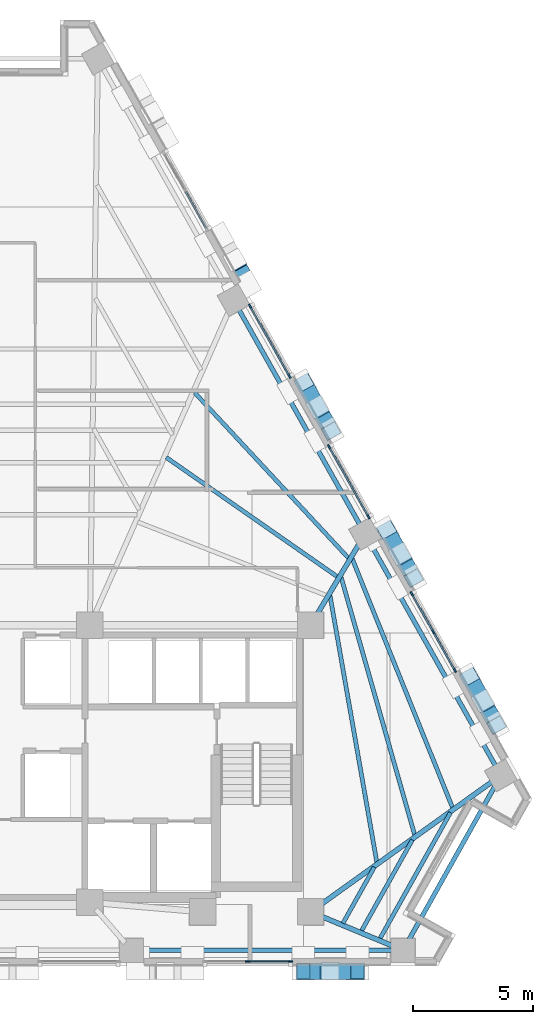
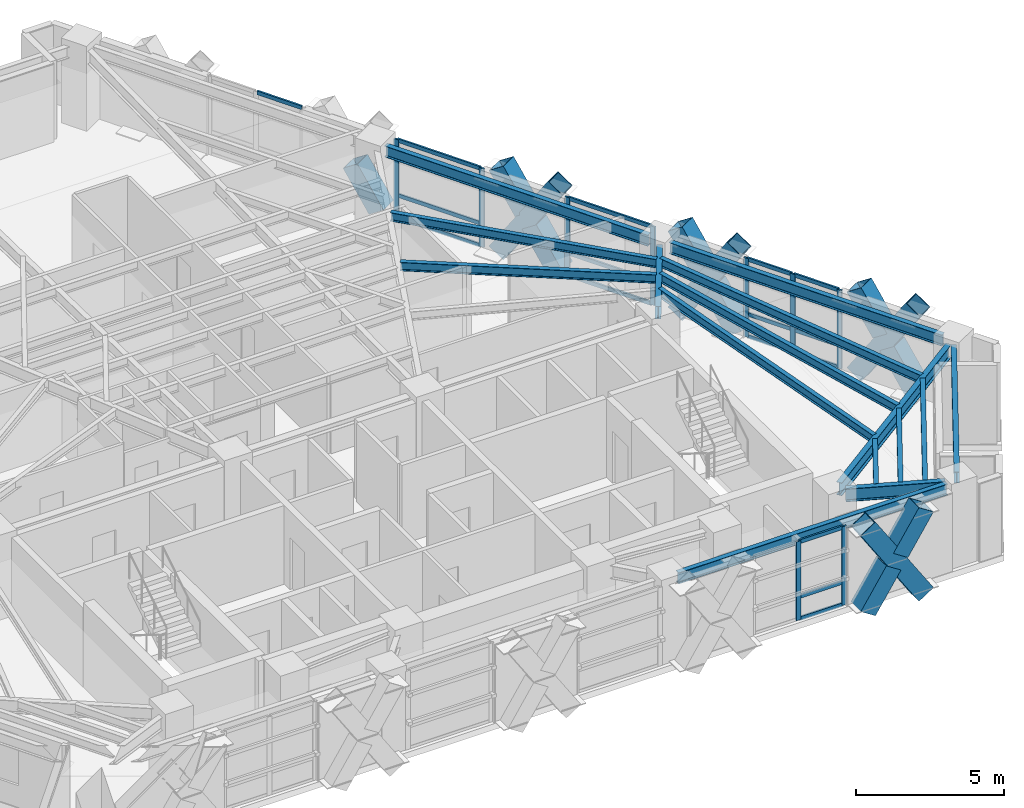
# One storey, part 4 of 14: 38 members, 15 beams, 5 elements without a shape of their own.
"""IFC4 building model written with IfcOpenShell, lengths in metres."""

from ifc_helpers import new_model, si_unit, direction, frame, origin, origin_2d, place, context, subcontext, project, spatial, rectangle, hollow_rectangle, i_section, extrude, material, material_profile, profile_set, type_object, element, aggregate, save


model = new_model("IFC4")

# Units and contexts
model_context = context("Model", 3, precision=1e-05, world=origin(), true_north=direction((0.0, 1.0)))
body_context = subcontext(model_context, "Body", "Model", "MODEL_VIEW")
ifc_project = project(units=[si_unit("LENGTHUNIT", "METRE"), si_unit("AREAUNIT", "SQUARE_METRE"), si_unit("VOLUMEUNIT", "CUBIC_METRE"), si_unit("PLANEANGLEUNIT", "RADIAN"), si_unit("MASSUNIT", "GRAM", prefix="KILO")], contexts=[model_context])

# Site, building, storey
site_placement = place(None, origin())
site = spatial("IfcSite", under=ifc_project, at=site_placement, CompositionType="ELEMENT")
building_placement = place(site_placement, origin())
building = spatial("IfcBuilding", under=site, at=building_placement, Name="Quenlor Broadcast Tower", CompositionType="ELEMENT")
storey_placement = place(building_placement, frame((0.0, 0.0, 133.5)))
storey = spatial("IfcBuildingStorey", under=building, at=storey_placement, Name="L36", CompositionType="ELEMENT", Elevation=133.5)

# Curtain wall, members
ifc_material_1 = material(Name="Architectural Terracotta and Low-E Glazing", Category="masonry")
curtain_wall_type = type_object("IfcCurtainWallType", Name="Unitised Terracotta Curtain Wall System Z3", PredefinedType="NOTDEFINED", material=ifc_material_1)
curtain_wall_1_placement = place(storey_placement, origin())
curtain_wall_1 = element("IfcCurtainWall", 1, at=curtain_wall_1_placement, inside=storey, type_object=curtain_wall_type, Name="L36 Curtain Wall CW3 (L36-SA-G1)", PredefinedType="NOTDEFINED")
ifc_material_2 = material(Name="Aluminium 6063-T6", Category="aluminium")
ifc_material_profile_1 = material_profile(ifc_material_2, rectangle(XDim=0.070068359375, YDim=0.18994140625, at=origin_2d()))
ifc_profile_set_1 = profile_set([ifc_material_profile_1], Name="Aluminium 6063-T6 MULL70x190")
member_type_1 = type_object("IfcMemberType", Name="CW3 Aluminium Mullion MULL_CW3", PredefinedType="MULLION", material=ifc_profile_set_1)
member_1_placement = place(storey_placement, frame((12.114013671875, -18.824951171875, 0.0), z_axis=(0.0, 0.0, 1.0), x_axis=(0.0, -1.0, 0.0)))
member_1 = element("IfcMember", 2, at=member_1_placement, type_object=member_type_1, Name="CW3 mullion 1", PredefinedType="MULLION", context=body_context, shape_type="SweptSolid", body=[
    extrude(rectangle(XDim=0.070068359375, YDim=0.18994140625, at=origin_2d()), origin(), (0.0, 0.0, 1.0), 3.25),
])
member_2_placement = place(storey_placement, frame((10.33203125, -18.824951171875, 0.0), z_axis=(0.0, 0.0, 1.0), x_axis=(0.0, -1.0, 0.0)))
member_2 = element("IfcMember", 3, at=member_2_placement, type_object=member_type_1, Name="CW3 mullion 2", PredefinedType="MULLION", context=body_context, shape_type="SweptSolid", body=[
    extrude(rectangle(XDim=0.070068359375, YDim=0.18994140625, at=origin_2d()), origin(), (0.0, 0.0, 1.0), 3.25),
])

curtain_wall_2_placement = place(storey_placement, origin())
curtain_wall_2 = element("IfcCurtainWall", 4, at=curtain_wall_2_placement, inside=storey, type_object=curtain_wall_type, Name="L36 Curtain Wall CW3 (L36-NEC-G1)", PredefinedType="NOTDEFINED")
member_3_placement = place(storey_placement, frame((17.17138671875, -3.48388671875, 0.0), z_axis=(0.0, 0.0, 1.0), x_axis=(0.871576967495, 0.490258696743, 0.0)))
member_3 = element("IfcMember", 5, at=member_3_placement, type_object=member_type_1, Name="CW3 mullion 1", PredefinedType="MULLION", context=body_context, shape_type="SweptSolid", body=[
    extrude(rectangle(XDim=0.070068359375, YDim=0.18994140625, at=origin_2d()), origin(), (0.0, 0.0, 1.0), 3.25),
])
member_4_placement = place(storey_placement, frame((18.069580078125, -5.080810546875, 0.0), z_axis=(0.0, 0.0, 1.0), x_axis=(0.871576967495, 0.490258696743, 0.0)))
member_4 = element("IfcMember", 6, at=member_4_placement, type_object=member_type_1, Name="CW3 mullion 2", PredefinedType="MULLION", context=body_context, shape_type="SweptSolid", body=[
    extrude(rectangle(XDim=0.070068359375, YDim=0.18994140625, at=origin_2d()), origin(), (0.0, 0.0, 1.0), 3.25),
])
member_5_placement = place(storey_placement, frame((18.9677734375, -6.677490234375, 0.0), z_axis=(0.0, 0.0, 1.0), x_axis=(0.871576967495, 0.490258696743, 0.0)))
member_5 = element("IfcMember", 7, at=member_5_placement, type_object=member_type_1, Name="CW3 mullion 3", PredefinedType="MULLION", context=body_context, shape_type="SweptSolid", body=[
    extrude(rectangle(XDim=0.070068359375, YDim=0.18994140625, at=origin_2d()), origin(), (0.0, 0.0, 1.0), 3.25),
])

curtain_wall_3_placement = place(storey_placement, origin())
curtain_wall_3 = element("IfcCurtainWall", 8, at=curtain_wall_3_placement, inside=storey, type_object=curtain_wall_type, Name="L36 Curtain Wall CW3 (L36-NE-G1)", PredefinedType="NOTDEFINED")
member_6_placement = place(storey_placement, frame((10.428955078125, 8.50244140625, 0.0), z_axis=(0.0, 0.0, 1.0), x_axis=(0.871578660222, 0.490255687418, 0.0)))
member_6 = element("IfcMember", 9, at=member_6_placement, type_object=member_type_1, Name="CW3 mullion 1", PredefinedType="MULLION", context=body_context, shape_type="SweptSolid", body=[
    extrude(rectangle(XDim=0.070068359375, YDim=0.18994140625, at=origin_2d()), origin(), (0.0, 0.0, 1.0), 3.25),
])
member_7_placement = place(storey_placement, frame((12.071533203125, 5.582275390625, 0.0), z_axis=(0.0, 0.0, 1.0), x_axis=(0.871578660222, 0.490255687418, 0.0)))
member_7 = element("IfcMember", 10, at=member_7_placement, type_object=member_type_1, Name="CW3 mullion 2", PredefinedType="MULLION", context=body_context, shape_type="SweptSolid", body=[
    extrude(rectangle(XDim=0.070068359375, YDim=0.18994140625, at=origin_2d()), origin(), (0.0, 0.0, 1.0), 3.25),
])

curtain_wall_4_placement = place(storey_placement, origin())
curtain_wall_4 = element("IfcCurtainWall", 11, at=curtain_wall_4_placement, inside=storey, type_object=curtain_wall_type, Name="L36 Curtain Wall CW3 (L36-NE-G2)", PredefinedType="NOTDEFINED")
member_8_placement = place(storey_placement, frame((13.723388671875, 2.64599609375, 0.0), z_axis=(0.0, 0.0, 1.0), x_axis=(0.871571633105, 0.490268180048, 0.0)))
member_8 = element("IfcMember", 12, at=member_8_placement, type_object=member_type_1, Name="CW3 mullion 1", PredefinedType="MULLION", context=body_context, shape_type="SweptSolid", body=[
    extrude(rectangle(XDim=0.070068359375, YDim=0.18994140625, at=origin_2d()), origin(), (0.0, 0.0, 1.0), 3.25),
])
member_9_placement = place(storey_placement, frame((15.365966796875, -0.274169921875, 0.0), z_axis=(0.0, 0.0, 1.0), x_axis=(0.871571633105, 0.490268180048, 0.0)))
member_9 = element("IfcMember", 13, at=member_9_placement, type_object=member_type_1, Name="CW3 mullion 2", PredefinedType="MULLION", context=body_context, shape_type="SweptSolid", body=[
    extrude(rectangle(XDim=0.070068359375, YDim=0.18994140625, at=origin_2d()), origin(), (0.0, 0.0, 1.0), 3.25),
])

# Member
ifc_material_3 = material(Name="Aluminium 6063-T6", Category="aluminium")
ifc_material_profile_2 = material_profile(ifc_material_3, rectangle(XDim=0.070068359375, YDim=0.155029296875, at=origin_2d()))
ifc_profile_set_2 = profile_set([ifc_material_profile_2], Name="Aluminium 6063-T6 TRAN70x155")
member_type_2 = type_object("IfcMemberType", Name="CW3 Aluminium Transom TRAN_CW3", PredefinedType="USERDEFINED", material=ifc_profile_set_2)
member_10_placement = place(storey_placement, frame((12.0791015625, -18.824951171875, 0.034912109375), z_axis=(-1.0, 0.0, 0.0), x_axis=(0.0, -1.0, 0.0)))
member_10 = element("IfcMember", 14, at=member_10_placement, type_object=member_type_2, Name="CW3 transom 1.1", ObjectType="TRANSOM", PredefinedType="USERDEFINED", context=body_context, shape_type="SweptSolid", body=[
    extrude(rectangle(XDim=0.070068359375, YDim=0.155029296875, at=origin_2d()), origin(), (0.0, 0.0, 1.0), 1.712158203125),
])

member_11_placement = place(storey_placement, frame((12.0791015625, -18.824951171875, 0.949951171875), z_axis=(-1.0, 0.0, 0.0), x_axis=(0.0, -1.0, 0.0)))
member_11 = element("IfcMember", 15, at=member_11_placement, type_object=member_type_2, Name="CW3 transom 1.2", ObjectType="TRANSOM", PredefinedType="USERDEFINED", context=body_context, shape_type="SweptSolid", body=[
    extrude(rectangle(XDim=0.070068359375, YDim=0.155029296875, at=origin_2d()), origin(), (0.0, 0.0, 1.0), 1.712158203125),
])

member_12_placement = place(storey_placement, frame((12.0791015625, -18.824951171875, 3.215087890625), z_axis=(-1.0, 0.0, 0.0), x_axis=(0.0, -1.0, 0.0)))
member_12 = element("IfcMember", 16, at=member_12_placement, type_object=member_type_2, Name="CW3 transom 1.3", ObjectType="TRANSOM", PredefinedType="USERDEFINED", context=body_context, shape_type="SweptSolid", body=[
    extrude(rectangle(XDim=0.070068359375, YDim=0.155029296875, at=origin_2d()), origin(), (0.0, 0.0, 1.0), 1.712158203125),
])

aggregate(curtain_wall_1, [member_1, member_2, member_10, member_11, member_12])

# Curtain wall, member
curtain_wall_5_placement = place(storey_placement, origin())
curtain_wall_5 = element("IfcCurtainWall", 17, at=curtain_wall_5_placement, inside=storey, type_object=curtain_wall_type, Name="L36 Curtain Wall CW3 (L36-NEA-G1)", PredefinedType="NOTDEFINED")
member_13_placement = place(storey_placement, frame((7.742431640625, 13.278564453125, 3.215087890625), z_axis=(0.490353334151, -0.871523727553, 0.0), x_axis=(0.871523727553, 0.490353334151, 0.0)))
member_13 = element("IfcMember", 18, at=member_13_placement, type_object=member_type_2, Name="CW3 transom 2.3", ObjectType="TRANSOM", PredefinedType="USERDEFINED", context=body_context, shape_type="SweptSolid", body=[
    extrude(rectangle(XDim=0.070068359375, YDim=0.155029296875, at=origin_2d()), origin(), (0.0, 0.0, 1.0), 1.761962890625),
])
aggregate(curtain_wall_5, [member_13])

# Member
member_14_placement = place(storey_placement, frame((17.188720703125, -3.514404296875, 0.034912109375), z_axis=(0.490188879637, -0.871616235668, 0.0), x_axis=(0.871616235668, 0.490188879637, 0.0)))
member_14 = element("IfcMember", 19, at=member_14_placement, type_object=member_type_2, Name="CW3 transom 1.1", ObjectType="TRANSOM", PredefinedType="USERDEFINED", context=body_context, shape_type="SweptSolid", body=[
    extrude(rectangle(XDim=0.070068359375, YDim=0.155029296875, at=origin_2d()), origin(), (0.0, 0.0, 1.0), 1.76220703125),
])

member_15_placement = place(storey_placement, frame((17.188720703125, -3.514404296875, 0.949951171875), z_axis=(0.490188879637, -0.871616235668, 0.0), x_axis=(0.871616235668, 0.490188879637, 0.0)))
member_15 = element("IfcMember", 20, at=member_15_placement, type_object=member_type_2, Name="CW3 transom 1.2", ObjectType="TRANSOM", PredefinedType="USERDEFINED", context=body_context, shape_type="SweptSolid", body=[
    extrude(rectangle(XDim=0.070068359375, YDim=0.155029296875, at=origin_2d()), origin(), (0.0, 0.0, 1.0), 1.76220703125),
])

member_16_placement = place(storey_placement, frame((17.188720703125, -3.514404296875, 3.215087890625), z_axis=(0.490188879637, -0.871616235668, 0.0), x_axis=(0.871616235668, 0.490188879637, 0.0)))
member_16 = element("IfcMember", 21, at=member_16_placement, type_object=member_type_2, Name="CW3 transom 1.3", ObjectType="TRANSOM", PredefinedType="USERDEFINED", context=body_context, shape_type="SweptSolid", body=[
    extrude(rectangle(XDim=0.070068359375, YDim=0.155029296875, at=origin_2d()), origin(), (0.0, 0.0, 1.0), 1.76220703125),
])

member_17_placement = place(storey_placement, frame((18.0869140625, -5.111083984375, 0.034912109375), z_axis=(0.490188879637, -0.871616235668, 0.0), x_axis=(0.871616235668, 0.490188879637, 0.0)))
member_17 = element("IfcMember", 22, at=member_17_placement, type_object=member_type_2, Name="CW3 transom 2.1", ObjectType="TRANSOM", PredefinedType="USERDEFINED", context=body_context, shape_type="SweptSolid", body=[
    extrude(rectangle(XDim=0.070068359375, YDim=0.155029296875, at=origin_2d()), origin(), (0.0, 0.0, 1.0), 1.76220703125),
])

member_18_placement = place(storey_placement, frame((18.0869140625, -5.111083984375, 0.949951171875), z_axis=(0.490188879637, -0.871616235668, 0.0), x_axis=(0.871616235668, 0.490188879637, 0.0)))
member_18 = element("IfcMember", 23, at=member_18_placement, type_object=member_type_2, Name="CW3 transom 2.2", ObjectType="TRANSOM", PredefinedType="USERDEFINED", context=body_context, shape_type="SweptSolid", body=[
    extrude(rectangle(XDim=0.070068359375, YDim=0.155029296875, at=origin_2d()), origin(), (0.0, 0.0, 1.0), 1.76220703125),
])

member_19_placement = place(storey_placement, frame((18.0869140625, -5.111083984375, 3.215087890625), z_axis=(0.490188879637, -0.871616235668, 0.0), x_axis=(0.871616235668, 0.490188879637, 0.0)))
member_19 = element("IfcMember", 24, at=member_19_placement, type_object=member_type_2, Name="CW3 transom 2.3", ObjectType="TRANSOM", PredefinedType="USERDEFINED", context=body_context, shape_type="SweptSolid", body=[
    extrude(rectangle(XDim=0.070068359375, YDim=0.155029296875, at=origin_2d()), origin(), (0.0, 0.0, 1.0), 1.76220703125),
])

aggregate(curtain_wall_2, [member_3, member_4, member_5, member_14, member_15, member_16, member_17, member_18, member_19])

member_20_placement = place(storey_placement, frame((10.4462890625, 8.471923828125, 0.034912109375), z_axis=(0.490236504766, -0.871589450025, 0.0), x_axis=(0.871589450025, 0.490236504766, 0.0)))
member_20 = element("IfcMember", 25, at=member_20_placement, type_object=member_type_2, Name="CW3 transom 1.1", ObjectType="TRANSOM", PredefinedType="USERDEFINED", context=body_context, shape_type="SweptSolid", body=[
    extrude(rectangle(XDim=0.070068359375, YDim=0.155029296875, at=origin_2d()), origin(), (0.0, 0.0, 1.0), 3.2802734375),
])

member_21_placement = place(storey_placement, frame((10.4462890625, 8.471923828125, 0.949951171875), z_axis=(0.490236504766, -0.871589450025, 0.0), x_axis=(0.871589450025, 0.490236504766, 0.0)))
member_21 = element("IfcMember", 26, at=member_21_placement, type_object=member_type_2, Name="CW3 transom 1.2", ObjectType="TRANSOM", PredefinedType="USERDEFINED", context=body_context, shape_type="SweptSolid", body=[
    extrude(rectangle(XDim=0.070068359375, YDim=0.155029296875, at=origin_2d()), origin(), (0.0, 0.0, 1.0), 3.2802734375),
])

member_22_placement = place(storey_placement, frame((10.4462890625, 8.471923828125, 3.215087890625), z_axis=(0.490236504766, -0.871589450025, 0.0), x_axis=(0.871589450025, 0.490236504766, 0.0)))
member_22 = element("IfcMember", 27, at=member_22_placement, type_object=member_type_2, Name="CW3 transom 1.3", ObjectType="TRANSOM", PredefinedType="USERDEFINED", context=body_context, shape_type="SweptSolid", body=[
    extrude(rectangle(XDim=0.070068359375, YDim=0.155029296875, at=origin_2d()), origin(), (0.0, 0.0, 1.0), 3.2802734375),
])

aggregate(curtain_wall_3, [member_6, member_7, member_20, member_21, member_22])

member_23_placement = place(storey_placement, frame((13.740478515625, 2.615478515625, 0.034912109375), z_axis=(0.490293039863, -0.871557648731, 0.0), x_axis=(0.871557648731, 0.490293039863, 0.0)))
member_23 = element("IfcMember", 28, at=member_23_placement, type_object=member_type_2, Name="CW3 transom 1.1", ObjectType="TRANSOM", PredefinedType="USERDEFINED", context=body_context, shape_type="SweptSolid", body=[
    extrude(rectangle(XDim=0.070068359375, YDim=0.155029296875, at=origin_2d()), origin(), (0.0, 0.0, 1.0), 3.280517578125),
])

member_24_placement = place(storey_placement, frame((13.740478515625, 2.615478515625, 0.949951171875), z_axis=(0.490293039863, -0.871557648731, 0.0), x_axis=(0.871557648731, 0.490293039863, 0.0)))
member_24 = element("IfcMember", 29, at=member_24_placement, type_object=member_type_2, Name="CW3 transom 1.2", ObjectType="TRANSOM", PredefinedType="USERDEFINED", context=body_context, shape_type="SweptSolid", body=[
    extrude(rectangle(XDim=0.070068359375, YDim=0.155029296875, at=origin_2d()), origin(), (0.0, 0.0, 1.0), 3.280517578125),
])

member_25_placement = place(storey_placement, frame((13.740478515625, 2.615478515625, 3.215087890625), z_axis=(0.490293039863, -0.871557648731, 0.0), x_axis=(0.871557648731, 0.490293039863, 0.0)))
member_25 = element("IfcMember", 30, at=member_25_placement, type_object=member_type_2, Name="CW3 transom 1.3", ObjectType="TRANSOM", PredefinedType="USERDEFINED", context=body_context, shape_type="SweptSolid", body=[
    extrude(rectangle(XDim=0.070068359375, YDim=0.155029296875, at=origin_2d()), origin(), (0.0, 0.0, 1.0), 3.280517578125),
])

aggregate(curtain_wall_4, [member_8, member_9, member_23, member_24, member_25])

# Members
ifc_material_4 = material(Name="Steel S355", Category="steel")
ifc_material_profile_3 = material_profile(ifc_material_4, hollow_rectangle(XDim=0.679931640625, YDim=0.679931640625, WallThickness=0.02490234375, at=origin_2d()))
ifc_profile_set_3 = profile_set([ifc_material_profile_3], Name="Steel S355 RHS680x680x25")
member_type_3 = type_object("IfcMemberType", Name="Perimeter Diagonal Lattice Brace Z3-Z4 Steel S355 RHS680x25", PredefinedType="BRACE", material=ifc_profile_set_3)
member_26_placement = place(storey_placement, frame((14.91015625, -19.219970703125, -0.1201171875), z_axis=(-0.543860340502, 0.0, 0.839175744424), x_axis=(0.0, -1.0, 0.0)))
element("IfcMember", 31, at=member_26_placement, inside=storey, type_object=member_type_3, Name="L36 Perimeter Diamond Lattice S-C1XA", PredefinedType="BRACE", context=body_context, shape_type="SweptSolid", body=[
    extrude(hollow_rectangle(XDim=0.679931640625, YDim=0.679931640625, WallThickness=0.02490234375, at=origin_2d()), origin(), (0.0, 0.0, 1.0), 4.170654296875),
])
member_27_placement = place(storey_placement, frame((12.641845703125, -19.219970703125, -0.1201171875), z_axis=(0.543786168213, 0.0, 0.839223809994), x_axis=(0.0, 1.0, 0.0)))
element("IfcMember", 32, at=member_27_placement, inside=storey, type_object=member_type_3, Name="L36 Perimeter Diamond Lattice S-C1XB1", PredefinedType="BRACE", context=body_context, shape_type="SweptSolid", body=[
    extrude(hollow_rectangle(XDim=0.679931640625, YDim=0.679931640625, WallThickness=0.02490234375, at=origin_2d()), origin(), (0.0, 0.0, 1.0), 1.83544921875),
])
member_28_placement = place(storey_placement, frame((13.912109375, -19.219970703125, 1.83984375), z_axis=(0.543846878394, 0.0, 0.839184468911), x_axis=(0.0, 1.0, 0.0)))
element("IfcMember", 33, at=member_28_placement, inside=storey, type_object=member_type_3, Name="L36 Perimeter Diamond Lattice S-C1XB2", PredefinedType="BRACE", context=body_context, shape_type="SweptSolid", body=[
    extrude(hollow_rectangle(XDim=0.679931640625, YDim=0.679931640625, WallThickness=0.02490234375, at=origin_2d()), origin(), (0.0, 0.0, 1.0), 1.835205078125),
])
member_29_placement = place(storey_placement, frame((10.361572265625, 9.428466796875, -0.1201171875), z_axis=(-0.270633624024, 0.480906307989, 0.833958370954), x_axis=(-0.871479637717, -0.49043168846, 0.0)))
element("IfcMember", 34, at=member_29_placement, inside=storey, type_object=member_type_3, Name="L36 Perimeter Diamond Lattice NE-C2XB1", PredefinedType="BRACE", context=body_context, shape_type="SweptSolid", body=[
    extrude(hollow_rectangle(XDim=0.679931640625, YDim=0.679931640625, WallThickness=0.02490234375, at=origin_2d()), origin(), (0.0, 0.0, 1.0), 1.848388671875),
])
member_30_placement = place(storey_placement, frame((12.674072265625, 5.317138671875, -0.1201171875), z_axis=(0.270556764115, -0.480963948764, 0.833950068878), x_axis=(0.871564276035, 0.49028125881, 0.0)))
element("IfcMember", 35, at=member_30_placement, inside=storey, type_object=member_type_3, Name="L36 Perimeter Diamond Lattice NE-C3XA", PredefinedType="BRACE", context=body_context, shape_type="SweptSolid", body=[
    extrude(hollow_rectangle(XDim=0.679931640625, YDim=0.679931640625, WallThickness=0.02490234375, at=origin_2d()), origin(), (0.0, 0.0, 1.0), 4.19677734375),
])
member_31_placement = place(storey_placement, frame((13.8095703125, 3.298583984375, -0.1201171875), z_axis=(-0.270633624024, 0.480906307989, 0.833958370954), x_axis=(-0.871479637717, -0.49043168846, 0.0)))
element("IfcMember", 36, at=member_31_placement, inside=storey, type_object=member_type_3, Name="L36 Perimeter Diamond Lattice NE-C3XB1", PredefinedType="BRACE", context=body_context, shape_type="SweptSolid", body=[
    extrude(hollow_rectangle(XDim=0.679931640625, YDim=0.679931640625, WallThickness=0.02490234375, at=origin_2d()), origin(), (0.0, 0.0, 1.0), 1.848388671875),
])
member_32_placement = place(storey_placement, frame((13.17431640625, 4.427978515625, 1.83837890625), z_axis=(-0.270616433058, 0.481007832697, 0.833905396938), x_axis=(-0.871537189362, -0.490329407194, 0.0)))
element("IfcMember", 37, at=member_32_placement, inside=storey, type_object=member_type_3, Name="L36 Perimeter Diamond Lattice NE-C3XB2", PredefinedType="BRACE", context=body_context, shape_type="SweptSolid", body=[
    extrude(hollow_rectangle(XDim=0.679931640625, YDim=0.679931640625, WallThickness=0.02490234375, at=origin_2d()), origin(), (0.0, 0.0, 1.0), 1.8486328125),
])
member_33_placement = place(storey_placement, frame((16.1220703125, -0.812744140625, -0.1201171875), z_axis=(0.2705491942, -0.481008661973, 0.833926735766), x_axis=(0.871589611547, 0.490236217596, 0.0)))
element("IfcMember", 38, at=member_33_placement, inside=storey, type_object=member_type_3, Name="L36 Perimeter Diamond Lattice NE-C4XA", PredefinedType="BRACE", context=body_context, shape_type="SweptSolid", body=[
    extrude(hollow_rectangle(XDim=0.679931640625, YDim=0.679931640625, WallThickness=0.02490234375, at=origin_2d()), origin(), (0.0, 0.0, 1.0), 4.197021484375),
])
member_34_placement = place(storey_placement, frame((17.257568359375, -2.83154296875, -0.1201171875), z_axis=(-0.270494026149, 0.481025021111, 0.833935195853), x_axis=(-0.871639445711, -0.490147607034, 0.0)))
element("IfcMember", 39, at=member_34_placement, inside=storey, type_object=member_type_3, Name="L36 Perimeter Diamond Lattice NE-C4XB1", PredefinedType="BRACE", context=body_context, shape_type="SweptSolid", body=[
    extrude(hollow_rectangle(XDim=0.679931640625, YDim=0.679931640625, WallThickness=0.02490234375, at=origin_2d()), origin(), (0.0, 0.0, 1.0), 1.848388671875),
])
member_35_placement = place(storey_placement, frame((16.622314453125, -1.701904296875, 1.83837890625), z_axis=(-0.270616433058, 0.481007832697, 0.833905396938), x_axis=(-0.871537189362, -0.490329407194, 0.0)))
element("IfcMember", 40, at=member_35_placement, inside=storey, type_object=member_type_3, Name="L36 Perimeter Diamond Lattice NE-C4XB2", PredefinedType="BRACE", context=body_context, shape_type="SweptSolid", body=[
    extrude(hollow_rectangle(XDim=0.679931640625, YDim=0.679931640625, WallThickness=0.02490234375, at=origin_2d()), origin(), (0.0, 0.0, 1.0), 1.8486328125),
])
member_36_placement = place(storey_placement, frame((19.5703125, -6.942626953125, -0.1201171875), z_axis=(0.2705491942, -0.481008661973, 0.833926735766), x_axis=(0.871589611547, 0.490236217596, 0.0)))
element("IfcMember", 41, at=member_36_placement, inside=storey, type_object=member_type_3, Name="L36 Perimeter Diamond Lattice NE-C5XA", PredefinedType="BRACE", context=body_context, shape_type="SweptSolid", body=[
    extrude(hollow_rectangle(XDim=0.679931640625, YDim=0.679931640625, WallThickness=0.02490234375, at=origin_2d()), origin(), (0.0, 0.0, 1.0), 4.197021484375),
])
member_37_placement = place(storey_placement, frame((20.705810546875, -8.96142578125, -0.1201171875), z_axis=(-0.270616433058, 0.481007832697, 0.833905396938), x_axis=(-0.871537189362, -0.490329407194, 0.0)))
element("IfcMember", 42, at=member_37_placement, inside=storey, type_object=member_type_3, Name="L36 Perimeter Diamond Lattice NE-C5XB1", PredefinedType="BRACE", context=body_context, shape_type="SweptSolid", body=[
    extrude(hollow_rectangle(XDim=0.679931640625, YDim=0.679931640625, WallThickness=0.02490234375, at=origin_2d()), origin(), (0.0, 0.0, 1.0), 1.8486328125),
])
member_38_placement = place(storey_placement, frame((20.0703125, -7.831787109375, 1.83837890625), z_axis=(-0.270494026149, 0.481025021111, 0.833935195853), x_axis=(-0.871639445711, -0.490147607034, 0.0)))
element("IfcMember", 43, at=member_38_placement, inside=storey, type_object=member_type_3, Name="L36 Perimeter Diamond Lattice NE-C5XB2", PredefinedType="BRACE", context=body_context, shape_type="SweptSolid", body=[
    extrude(hollow_rectangle(XDim=0.679931640625, YDim=0.679931640625, WallThickness=0.02490234375, at=origin_2d()), origin(), (0.0, 0.0, 1.0), 1.848388671875),
])

# Beams
ifc_material_5 = material(Name="Steel S355", Category="steel")
ifc_material_profile_4 = material_profile(ifc_material_5, i_section(OverallWidth=0.19091796875, OverallDepth=0.46044921875, WebThickness=0.010009765625, FlangeThickness=0.01611328125, FilletRadius=0.011474609375, at=origin_2d()))
ifc_profile_set_4 = profile_set([ifc_material_profile_4], Name="Steel S355 460UB82.1")
beam_type_1 = type_object("IfcBeamType", Name="Perimeter Spandrel Beam Z3 Steel S355 460UB82.1", PredefinedType="SPANDREL", material=ifc_profile_set_4)
beam_1_placement = place(storey_placement, frame((5.89111328125, -18.35009765625, 3.019775390625), z_axis=(1.0, 0.0, 0.0), x_axis=(0.0, 1.0, 0.0)))
element("IfcBeam", 44, at=beam_1_placement, inside=storey, type_object=beam_type_1, Name="L36 Spandrel Beam S3-S4", PredefinedType="SPANDREL", context=body_context, shape_type="SweptSolid", body=[
    extrude(i_section(OverallWidth=0.19091796875, OverallDepth=0.46044921875, WebThickness=0.010009765625, FlangeThickness=0.01611328125, FilletRadius=0.011474609375, at=origin_2d()), origin(), (0.0, 0.0, 1.0), 10.50732421875),
])
beam_2_placement = place(storey_placement, frame((17.008544921875, -17.9921875, 3.019775390625), z_axis=(0.488298439934, 0.872676706208, 0.0), x_axis=(-0.872676706208, 0.488298439934, 0.0)))
element("IfcBeam", 45, at=beam_2_placement, inside=storey, type_object=beam_type_1, Name="L36 Spandrel Beam S4-NE1", PredefinedType="SPANDREL", context=body_context, shape_type="SweptSolid", body=[
    extrude(i_section(OverallWidth=0.19091796875, OverallDepth=0.46044921875, WebThickness=0.010009765625, FlangeThickness=0.01611328125, FilletRadius=0.011474609375, at=origin_2d()), origin(), (0.0, 0.0, 1.0), 7.5341796875),
])
beam_3_placement = place(storey_placement, frame((20.686767578125, -10.7021484375, 3.019775390625), z_axis=(-0.490257999604, 0.871577359633, 0.0), x_axis=(-0.871577359633, -0.490257999604, 0.0)))
element("IfcBeam", 46, at=beam_3_placement, inside=storey, type_object=beam_type_1, Name="L36 Spandrel Beam NE1-NE2", PredefinedType="SPANDREL", context=body_context, shape_type="SweptSolid", body=[
    extrude(i_section(OverallWidth=0.19091796875, OverallDepth=0.46044921875, WebThickness=0.010009765625, FlangeThickness=0.01611328125, FilletRadius=0.011474609375, at=origin_2d()), origin(), (0.0, 0.0, 1.0), 10.732666015625),
])
beam_4_placement = place(storey_placement, frame((15.02294921875, -0.63330078125, 3.019775390625), z_axis=(-0.490252288562, 0.871580572041, 0.0), x_axis=(-0.871580572041, -0.490252288562, 0.0)))
element("IfcBeam", 47, at=beam_4_placement, inside=storey, type_object=beam_type_1, Name="L36 Spandrel Beam NE2-NE3", PredefinedType="SPANDREL", context=body_context, shape_type="SweptSolid", body=[
    extrude(i_section(OverallWidth=0.19091796875, OverallDepth=0.46044921875, WebThickness=0.010009765625, FlangeThickness=0.01611328125, FilletRadius=0.011474609375, at=origin_2d()), origin(), (0.0, 0.0, 1.0), 10.359619140625),
])
ifc_material_6 = material(Name="Steel S355", Category="steel")
ifc_material_profile_5 = material_profile(ifc_material_6, i_section(OverallWidth=0.172119140625, OverallDepth=0.358642578125, WebThickness=0.008056640625, FlangeThickness=0.012939453125, FilletRadius=0.011474609375, at=origin_2d()))
ifc_profile_set_5 = profile_set([ifc_material_profile_5], Name="Steel S355 360UB56.7")
beam_type_2 = type_object("IfcBeamType", Name="Tower Composite Joist Z2-Z3 Steel S355 360UB56.7", PredefinedType="JOIST", material=ifc_profile_set_5)
beam_5_placement = place(storey_placement, frame((14.06689453125, -2.7734375, 3.07080078125), z_axis=(-0.82026568394, 0.57198269882, 0.0), x_axis=(-0.57198269882, -0.82026568394, 0.0)))
element("IfcBeam", 48, at=beam_5_placement, inside=storey, type_object=beam_type_2, Name="L36 Secondary Composite Joist 11", PredefinedType="JOIST", context=body_context, shape_type="SweptSolid", body=[
    extrude(i_section(OverallWidth=0.172119140625, OverallDepth=0.358642578125, WebThickness=0.008056640625, FlangeThickness=0.012939453125, FilletRadius=0.011474609375, at=origin_2d()), origin(), (0.0, 0.0, 1.0), 8.698486328125),
])
beam_6_placement = place(storey_placement, frame((14.53271484375, -1.998779296875, 3.07080078125), z_axis=(-0.680873505991, 0.732401030065, 0.0), x_axis=(-0.732401030065, -0.680873505991, 0.0)))
element("IfcBeam", 49, at=beam_6_placement, inside=storey, type_object=beam_type_2, Name="L36 Secondary Composite Joist 12", PredefinedType="JOIST", context=body_context, shape_type="SweptSolid", body=[
    extrude(i_section(OverallWidth=0.172119140625, OverallDepth=0.358642578125, WebThickness=0.008056640625, FlangeThickness=0.012939453125, FilletRadius=0.011474609375, at=origin_2d()), origin(), (0.0, 0.0, 1.0), 9.419189453125),
])
beam_7_placement = place(storey_placement, frame((15.71435546875, -14.679443359375, 3.07080078125), z_axis=(-0.172906811417, 0.984938188195, 0.0), x_axis=(-0.984938188195, -0.172906811417, 0.0)))
element("IfcBeam", 50, at=beam_7_placement, inside=storey, type_object=beam_type_2, Name="L36 Secondary Composite Joist 16", PredefinedType="JOIST", context=body_context, shape_type="SweptSolid", body=[
    extrude(i_section(OverallWidth=0.172119140625, OverallDepth=0.358642578125, WebThickness=0.008056640625, FlangeThickness=0.012939453125, FilletRadius=0.011474609375, at=origin_2d()), origin(), (0.0, 0.0, 1.0), 11.30419921875),
])
beam_8_placement = place(storey_placement, frame((17.293701171875, -13.543212890625, 3.07080078125), z_axis=(-0.274418577045, 0.961610339261, 0.0), x_axis=(-0.961610339261, -0.274418577045, 0.0)))
element("IfcBeam", 51, at=beam_8_placement, inside=storey, type_object=beam_type_2, Name="L36 Secondary Composite Joist 17", PredefinedType="JOIST", context=body_context, shape_type="SweptSolid", body=[
    extrude(i_section(OverallWidth=0.172119140625, OverallDepth=0.358642578125, WebThickness=0.008056640625, FlangeThickness=0.012939453125, FilletRadius=0.011474609375, at=origin_2d()), origin(), (0.0, 0.0, 1.0), 11.191162109375),
])
beam_9_placement = place(storey_placement, frame((18.873291015625, -12.407958984375, 3.07080078125), z_axis=(-0.373824118901, 0.927499610851, 0.0), x_axis=(-0.927499610851, -0.373824118901, 0.0)))
element("IfcBeam", 52, at=beam_9_placement, inside=storey, type_object=beam_type_2, Name="L36 Secondary Composite Joist 18", PredefinedType="JOIST", context=body_context, shape_type="SweptSolid", body=[
    extrude(i_section(OverallWidth=0.172119140625, OverallDepth=0.358642578125, WebThickness=0.008056640625, FlangeThickness=0.012939453125, FilletRadius=0.011474609375, at=origin_2d()), origin(), (0.0, 0.0, 1.0), 11.203125),
])
beam_10_placement = place(storey_placement, frame((14.30078125, -17.22412109375, 3.07080078125), z_axis=(0.488370382241, 0.87263644764, 0.0), x_axis=(-0.87263644764, 0.488370382241, 0.0)))
element("IfcBeam", 53, at=beam_10_placement, inside=storey, type_object=beam_type_2, Name="L36 Secondary Composite Joist 22", PredefinedType="JOIST", context=body_context, shape_type="SweptSolid", body=[
    extrude(i_section(OverallWidth=0.172119140625, OverallDepth=0.358642578125, WebThickness=0.008056640625, FlangeThickness=0.012939453125, FilletRadius=0.011474609375, at=origin_2d()), origin(), (0.0, 0.0, 1.0), 2.680419921875),
])
beam_11_placement = place(storey_placement, frame((15.072509765625, -17.544189453125, 3.07080078125), z_axis=(0.488294103756, 0.872679132463, 0.0), x_axis=(-0.872679132463, 0.488294103756, 0.0)))
element("IfcBeam", 54, at=beam_11_placement, inside=storey, type_object=beam_type_2, Name="L36 Secondary Composite Joist 23", PredefinedType="JOIST", context=body_context, shape_type="SweptSolid", body=[
    extrude(i_section(OverallWidth=0.172119140625, OverallDepth=0.358642578125, WebThickness=0.008056640625, FlangeThickness=0.012939453125, FilletRadius=0.011474609375, at=origin_2d()), origin(), (0.0, 0.0, 1.0), 4.351318359375),
])
beam_12_placement = place(storey_placement, frame((15.84423828125, -17.8642578125, 3.07080078125), z_axis=(0.488308300212, 0.872671188905, 0.0), x_axis=(-0.872671188905, 0.488308300212, 0.0)))
element("IfcBeam", 55, at=beam_12_placement, inside=storey, type_object=beam_type_2, Name="L36 Secondary Composite Joist 24", PredefinedType="JOIST", context=body_context, shape_type="SweptSolid", body=[
    extrude(i_section(OverallWidth=0.172119140625, OverallDepth=0.358642578125, WebThickness=0.008056640625, FlangeThickness=0.012939453125, FilletRadius=0.011474609375, at=origin_2d()), origin(), (0.0, 0.0, 1.0), 6.022216796875),
])
ifc_material_7 = material(Name="Steel S355", Category="steel")
ifc_material_profile_6 = material_profile(ifc_material_7, i_section(OverallWidth=0.208984375, OverallDepth=0.532958984375, WebThickness=0.01025390625, FlangeThickness=0.015625, FilletRadius=0.013916015625, at=origin_2d()))
ifc_profile_set_6 = profile_set([ifc_material_profile_6], Name="Steel S355 530UB92.4")
beam_type_3 = type_object("IfcBeamType", Name="Tower Primary Floor Beam Z3 Steel S355 530UB92.4", PredefinedType="BEAM", material=ifc_profile_set_6)
beam_13_placement = place(storey_placement, frame((16.4296875, -18.19287109375, 2.9833984375), z_axis=(-0.923730294618, 0.383043525993, 0.0), x_axis=(-0.383043525993, -0.923730294618, 0.0)))
element("IfcBeam", 56, at=beam_13_placement, inside=storey, type_object=beam_type_3, Name="L36 Primary Radial Beam S4", PredefinedType="BEAM", context=body_context, shape_type="SweptSolid", body=[
    extrude(i_section(OverallWidth=0.208984375, OverallDepth=0.532958984375, WebThickness=0.01025390625, FlangeThickness=0.015625, FilletRadius=0.013916015625, at=origin_2d()), origin(), (0.0, 0.0, 1.0), 3.386962890625),
])
beam_14_placement = place(storey_placement, frame((20.554443359375, -11.29833984375, 2.9833984375), z_axis=(-0.812728908832, -0.582642017666, 0.0), x_axis=(0.582642017666, -0.812728908832, 0.0)))
element("IfcBeam", 57, at=beam_14_placement, inside=storey, type_object=beam_type_3, Name="L36 Primary Radial Beam NE1", PredefinedType="BEAM", context=body_context, shape_type="SweptSolid", body=[
    extrude(i_section(OverallWidth=0.208984375, OverallDepth=0.532958984375, WebThickness=0.01025390625, FlangeThickness=0.015625, FilletRadius=0.013916015625, at=origin_2d()), origin(), (0.0, 0.0, 1.0), 8.976806640625),
])
beam_15_placement = place(storey_placement, frame((15.013916015625, -1.3427734375, 2.9833984375), z_axis=(-0.512604023694, -0.858625130597, 0.0), x_axis=(0.858625130597, -0.512604023694, 0.0)))
element("IfcBeam", 58, at=beam_15_placement, inside=storey, type_object=beam_type_3, Name="L36 Primary Radial Beam NE2", PredefinedType="BEAM", context=body_context, shape_type="SweptSolid", body=[
    extrude(i_section(OverallWidth=0.208984375, OverallDepth=0.532958984375, WebThickness=0.01025390625, FlangeThickness=0.015625, FilletRadius=0.013916015625, at=origin_2d()), origin(), (0.0, 0.0, 1.0), 3.646484375),
])

save(model, "model.ifc")
